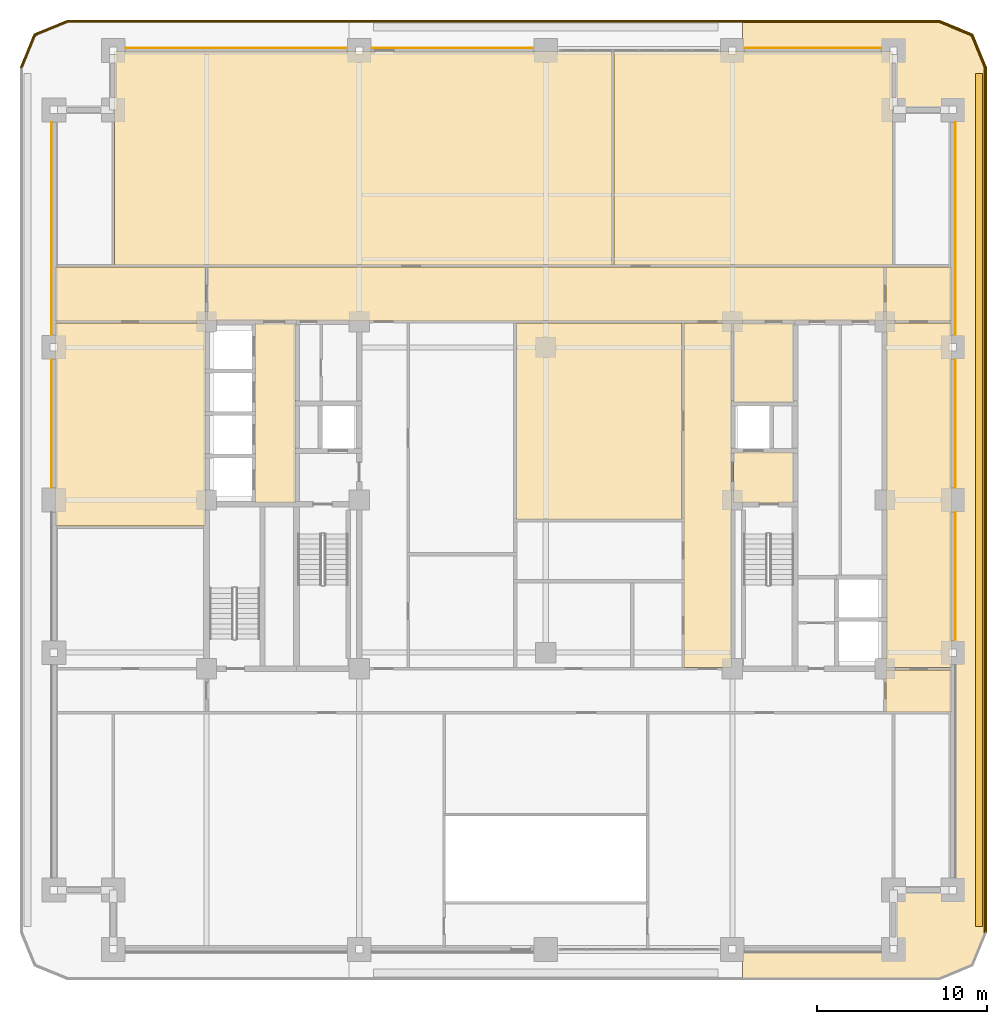
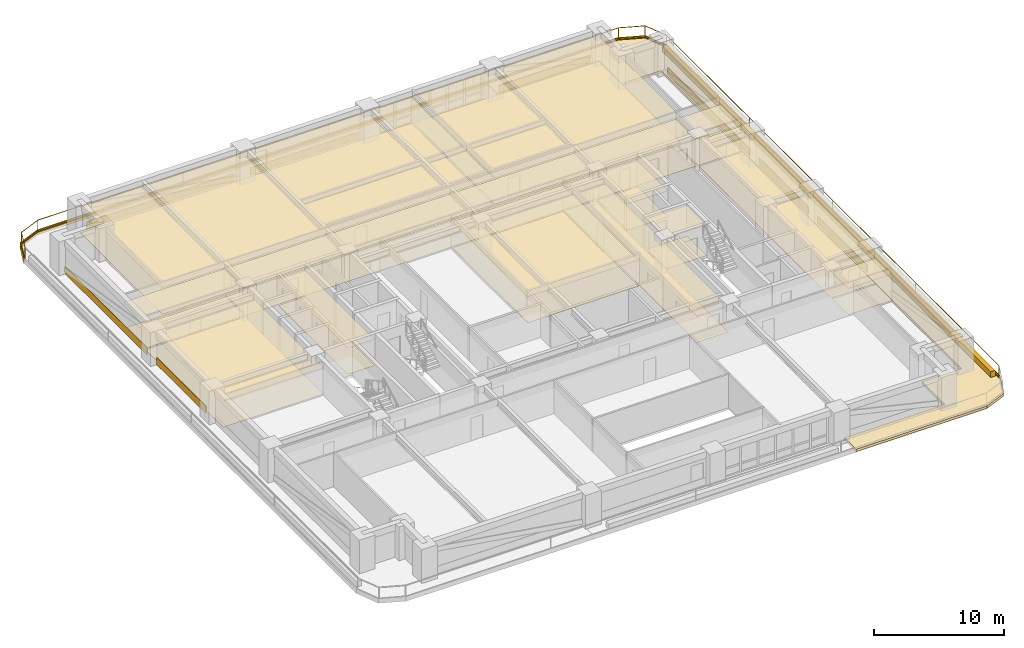
# One storey, part 18 of 18: 42 coverings, 2 railings.
"""IFC4 building model written with IfcOpenShell, lengths in metres."""

from ifc_helpers import new_model, si_unit, direction, frame, frame_2d, origin, origin_2d, place, context, subcontext, project, spatial, polyline, rectangle, outline, extrude, material, layer, layer_set, type_object, element, save


model = new_model("IFC4")

# Units and contexts
model_context = context("Model", 3, precision=1e-05, world=origin(), true_north=direction((0.0, 1.0)))
body_context = subcontext(model_context, "Body", "Model", "MODEL_VIEW")
ifc_project = project(units=[si_unit("LENGTHUNIT", "METRE"), si_unit("AREAUNIT", "SQUARE_METRE"), si_unit("VOLUMEUNIT", "CUBIC_METRE"), si_unit("PLANEANGLEUNIT", "RADIAN"), si_unit("MASSUNIT", "GRAM", prefix="KILO")], contexts=[model_context])

# Site, building, storey
site_placement = place(None, origin())
site = spatial("IfcSite", under=ifc_project, at=site_placement, CompositionType="ELEMENT")
building_placement = place(site_placement, origin())
building = spatial("IfcBuilding", under=site, at=building_placement, Name="Zulmaris Gate Convention Tower", CompositionType="ELEMENT")
storey_placement = place(building_placement, frame((0.0, 0.0, 78.60986328125)))
storey = spatial("IfcBuildingStorey", under=building, at=storey_placement, Name="L19", CompositionType="ELEMENT", Elevation=78.60986328125)

# Coverings
ifc_material_1 = material(Name="Precast concrete C40/50", Category="concrete")
ifc_layer_1 = layer(ifc_material_1, 0.0400390625, Name="Precast concrete C40/50")
ifc_layer_set_1 = layer_set([ifc_layer_1], Name="Precast concrete C40/50")
covering_type_1 = type_object("IfcCoveringType", Name="CLAD-SPANDREL-PRECAST", PredefinedType="CLADDING", material=ifc_layer_set_1)
covering_1_placement = place(storey_placement, frame((-11.72998046875, 26.64990234375, 0.0), z_axis=(0.0, 0.0, 1.0), x_axis=(-1.0, 0.0, 0.0)))
element("IfcCovering", 1, at=covering_1_placement, inside=storey, type_object=covering_type_1, Name="CLD-L19-N-0_0", PredefinedType="CLADDING", context=body_context, shape_type="SweptSolid", body=[
    extrude(rectangle(XDim=13.0400390625, YDim=0.0400390625, at=frame_2d((6.52001953125, 0.0))), origin(), (0.0, 0.0, 1.0), 0.679931640625),
])
covering_2_placement = place(storey_placement, frame((-0.72998046875, 26.64990234375, 0.0), z_axis=(0.0, 0.0, 1.0), x_axis=(-1.0, 0.0, 0.0)))
element("IfcCovering", 2, at=covering_2_placement, inside=storey, type_object=covering_type_1, Name="CLD-L19-N-1_0", PredefinedType="CLADDING", context=body_context, shape_type="SweptSolid", body=[
    extrude(rectangle(XDim=9.5400390625, YDim=0.0400390625, at=frame_2d((4.77001953125, 0.0))), origin(), (0.0, 0.0, 1.0), 0.679931640625),
])
covering_3_placement = place(storey_placement, frame((19.77001953125, 26.64990234375, 0.0), z_axis=(0.0, 0.0, 1.0), x_axis=(-1.0, 0.0, 0.0)))
element("IfcCovering", 3, at=covering_3_placement, inside=storey, type_object=covering_type_1, Name="CLD-L19-N-3_0", PredefinedType="CLADDING", context=body_context, shape_type="SweptSolid", body=[
    extrude(rectangle(XDim=8.0400390625, YDim=0.0400390625, at=frame_2d((4.02001953125, 0.0))), origin(), (0.0, 0.0, 1.0), 0.679931640625),
])
for number, where, z_axis, x_axis, name in (
    (4, (24.14990234375, -8.27001953125, 0.0), (0.0, 0.0, 1.0), (0.0, 1.0, 0.0), "CLD-L19-E-1_0"),
    (5, (24.14990234375, 0.72998046875, 0.0), (0.0, 0.0, 1.0), (0.0, 1.0, 0.0), "CLD-L19-E-2_0"),
):
    element("IfcCovering", number, at=place(storey_placement, frame(where, z_axis=z_axis, x_axis=x_axis)), inside=storey, type_object=covering_type_1, Name=name, PredefinedType="CLADDING", context=body_context, shape_type="SweptSolid", body=[
        extrude(rectangle(XDim=7.5400390625, YDim=0.0400390625, at=frame_2d((3.77001953125, 0.0))), origin(), (0.0, 0.0, 1.0), 0.679931640625),
    ])
covering_4_placement = place(storey_placement, frame((24.14990234375, 9.72998046875, 0.0), z_axis=(0.0, 0.0, 1.0), x_axis=(0.0, 1.0, 0.0)))
element("IfcCovering", 6, at=covering_4_placement, inside=storey, type_object=covering_type_1, Name="CLD-L19-E-3_0", PredefinedType="CLADDING", context=body_context, shape_type="SweptSolid", body=[
    extrude(rectangle(XDim=12.5400390625, YDim=0.0400390625, at=frame_2d((6.27001953125, 0.0))), origin(), (0.0, 0.0, 1.0), 0.679931640625),
])
covering_5_placement = place(storey_placement, frame((-29.14990234375, 8.27001953125, 0.0), z_axis=(0.0, 0.0, 1.0), x_axis=(0.0, -1.0, 0.0)))
element("IfcCovering", 7, at=covering_5_placement, inside=storey, type_object=covering_type_1, Name="CLD-L19-W-2_0", PredefinedType="CLADDING", context=body_context, shape_type="SweptSolid", body=[
    extrude(rectangle(XDim=7.5400390625, YDim=0.0400390625, at=frame_2d((3.77001953125, 0.0))), origin(), (0.0, 0.0, 1.0), 0.679931640625),
])
covering_6_placement = place(storey_placement, frame((-29.14990234375, 22.27001953125, 0.0), z_axis=(0.0, 0.0, 1.0), x_axis=(0.0, -1.0, 0.0)))
element("IfcCovering", 8, at=covering_6_placement, inside=storey, type_object=covering_type_1, Name="CLD-L19-W-3_0", PredefinedType="CLADDING", context=body_context, shape_type="SweptSolid", body=[
    extrude(rectangle(XDim=12.5400390625, YDim=0.0400390625, at=frame_2d((6.27001953125, 0.0))), origin(), (0.0, 0.0, 1.0), 0.679931640625),
])
ifc_material_2 = material(Name="White Glazed Architectural Precast Concrete C40/50", Category="concrete")
ifc_layer_2 = layer(ifc_material_2, 0.239990234375, Name="White Glazed Architectural Precast Concrete C40/50")
ifc_layer_set_2 = layer_set([ifc_layer_2], Name="White Glazed Architectural Precast Concrete C40/50")
covering_type_2 = type_object("IfcCoveringType", Name="CLAD-TRAY-DECK", PredefinedType="CLADDING", material=ifc_layer_set_2)
covering_7_placement = place(storey_placement, frame((0.0, 0.0, -0.25)))
element("IfcCovering", 9, at=covering_7_placement, inside=storey, type_object=covering_type_2, Name="L19 East Rounded-Fascia Planter Tray Deck", PredefinedType="CLADDING", context=body_context, shape_type="SweptSolid", body=[
    extrude(outline(polyline([(23.199951171875, 28.300048828125), (25.179931640625, 27.47998046875), (26.0, 25.5), (26.0, -25.5), (25.179931640625, -27.47998046875), (23.199951171875, -28.300048828125), (11.60205078125, -28.300048828125), (11.60205078125, -26.5), (20.5, -26.5), (20.5, -23.0), (24.0, -23.0), (24.0, 23.0), (20.5, 23.0), (20.5, 26.5), (11.60205078125, 26.5), (11.60205078125, 28.300048828125), (23.199951171875, 28.300048828125)])), origin(), (0.0, 0.0, 1.0), 0.239990234375),
])
ifc_layer_3 = layer(ifc_material_2, 0.080078125, Name="White Glazed Architectural Precast Concrete C40/50")
ifc_layer_set_3 = layer_set([ifc_layer_3], Name="White Glazed Architectural Precast Concrete C40/50")
covering_type_3 = type_object("IfcCoveringType", Name="CLAD-TRAY-FASCIA", PredefinedType="CLADDING", material=ifc_layer_set_3)
covering_8_placement = place(storey_placement, frame((25.9599609375, -25.5, -0.2900390625), z_axis=(0.0, 0.0, 1.0), x_axis=(0.0, 1.0, 0.0)))
element("IfcCovering", 10, at=covering_8_placement, inside=storey, type_object=covering_type_3, Name="FSC-L19-TR-05", PredefinedType="CLADDING", context=body_context, shape_type="SweptSolid", body=[
    extrude(rectangle(XDim=51.0, YDim=0.080078125, at=frame_2d((25.5, 0.0))), origin(), (0.0, 0.0, 1.0), 0.440185546875),
])
covering_9_placement = place(storey_placement, frame((25.962890625, 25.484619140625, -0.2900390625), z_axis=(0.0, 0.0, 1.0), x_axis=(-0.382656984709, 0.923890487046, 0.0)))
element("IfcCovering", 11, at=covering_9_placement, inside=storey, type_object=covering_type_3, Name="FSC-L19-TR-06", PredefinedType="CLADDING", context=body_context, shape_type="SweptSolid", body=[
    extrude(rectangle(XDim=2.14306640625, YDim=0.080078125, at=frame_2d((1.071533203125, 0.0))), origin(), (0.0, 0.0, 1.0), 0.440185546875),
])
covering_10_placement = place(storey_placement, frame((25.16455078125, 27.44287109375, -0.2900390625), z_axis=(0.0, 0.0, 1.0), x_axis=(-0.923873803533, 0.382697263049, 0.0)))
element("IfcCovering", 12, at=covering_10_placement, inside=storey, type_object=covering_type_3, Name="FSC-L19-TR-07", PredefinedType="CLADDING", context=body_context, shape_type="SweptSolid", body=[
    extrude(rectangle(XDim=2.142822265625, YDim=0.080078125, at=frame_2d((1.0712890625, 0.0))), origin(), (0.0, 0.0, 1.0), 0.440185546875),
])
covering_11_placement = place(storey_placement, frame((23.199951171875, 28.260009765625, -0.2900390625), z_axis=(0.0, 0.0, 1.0), x_axis=(-1.0, 0.0, 0.0)))
element("IfcCovering", 13, at=covering_11_placement, inside=storey, type_object=covering_type_3, Name="FSC-L19-TR-08", PredefinedType="CLADDING", context=body_context, shape_type="SweptSolid", body=[
    extrude(rectangle(XDim=51.39990234375, YDim=0.080078125, at=frame_2d((25.699951171875, 0.0))), origin(), (0.0, 0.0, 1.0), 0.440185546875),
])
covering_12_placement = place(storey_placement, frame((-28.184814453125, 28.262939453125, -0.2900390625), z_axis=(0.0, 0.0, 1.0), x_axis=(-0.923873803533, -0.382697263049, 0.0)))
element("IfcCovering", 14, at=covering_12_placement, inside=storey, type_object=covering_type_3, Name="FSC-L19-TR-09", PredefinedType="CLADDING", context=body_context, shape_type="SweptSolid", body=[
    extrude(rectangle(XDim=2.142822265625, YDim=0.080078125, at=frame_2d((1.0712890625, 0.0))), origin(), (0.0, 0.0, 1.0), 0.440185546875),
])
covering_13_placement = place(storey_placement, frame((-30.142822265625, 27.464599609375, -0.2900390625), z_axis=(0.0, 0.0, 1.0), x_axis=(-0.382656984709, -0.923890487046, 0.0)))
element("IfcCovering", 15, at=covering_13_placement, inside=storey, type_object=covering_type_3, Name="FSC-L19-TR-10", PredefinedType="CLADDING", context=body_context, shape_type="SweptSolid", body=[
    extrude(rectangle(XDim=2.14306640625, YDim=0.080078125, at=frame_2d((1.071533203125, 0.0))), origin(), (0.0, 0.0, 1.0), 0.440185546875),
])
ifc_material_3 = material(Name="Mineral Fibre Acoustic Ceiling Tile")
ifc_layer_4 = layer(ifc_material_3, 0.02001953125, Name="Mineral Fibre Acoustic Ceiling Tile")
ifc_layer_set_4 = layer_set([ifc_layer_4], Name="Mineral Fibre Acoustic Ceiling Tile")
covering_type_4 = type_object("IfcCoveringType", Name="CLG-ACOUSTIC-600", PredefinedType="CEILING", material=ifc_layer_set_4)
covering_14_placement = place(storey_placement, frame((0.0, 0.0, 2.864990234375)))
element("IfcCovering", 16, at=covering_14_placement, inside=storey, type_object=covering_type_4, Name="CLG-L19-R08", PredefinedType="CEILING", context=body_context, shape_type="SweptSolid", body=[
    extrude(outline(polyline([(11.06005859375, -0.18994140625), (14.639892578125, -0.18994140625), (14.639892578125, 2.840087890625), (11.06005859375, 2.840087890625), (11.06005859375, -0.18994140625)])), origin(), (0.0, 0.0, 1.0), 0.02001953125),
])
covering_15_placement = place(storey_placement, frame((0.0, 0.0, 2.453125)))
element("IfcCovering", 17, at=covering_15_placement, inside=storey, type_object=covering_type_4, Name="CLG-L19-R13", PredefinedType="CEILING", context=body_context, shape_type="SweptSolid", body=[
    extrude(outline(polyline([(11.06005859375, 5.760009765625), (14.639892578125, 5.760009765625), (14.639892578125, 10.43994140625), (11.06005859375, 10.43994140625), (11.06005859375, 5.760009765625)])), origin(), (0.0, 0.0, 1.0), 0.02001953125),
])
covering_16_placement = place(storey_placement, frame((0.0, 0.0, 2.453125)))
element("IfcCovering", 18, at=covering_16_placement, inside=storey, type_object=covering_type_4, Name="CLG-L19-R16", PredefinedType="CEILING", context=body_context, shape_type="SweptSolid", body=[
    extrude(outline(polyline([(-17.139892578125, -0.18994140625), (-14.760009765625, -0.18994140625), (-14.760009765625, 10.43994140625), (-17.139892578125, 10.43994140625), (-17.139892578125, -0.18994140625)])), origin(), (0.0, 0.0, 1.0), 0.02001953125),
])
covering_17_placement = place(storey_placement, frame((0.0, 0.0, 2.453125)))
element("IfcCovering", 19, at=covering_17_placement, inside=storey, type_object=covering_type_4, Name="CLG-L19-R29", PredefinedType="CEILING", context=body_context, shape_type="SweptSolid", body=[
    extrude(outline(polyline([(-19.93994140625, 10.56005859375), (19.93994140625, 10.56005859375), (19.93994140625, 13.739990234375), (-19.93994140625, 13.739990234375), (-19.93994140625, 10.56005859375)])), origin(), (0.0, 0.0, 1.0), 0.02001953125),
])
covering_18_placement = place(storey_placement, frame((0.0, 0.0, 2.453125)))
element("IfcCovering", 20, at=covering_18_placement, inside=storey, type_object=covering_type_4, Name="CLG-L19-R32", PredefinedType="CEILING", context=body_context, shape_type="SweptSolid", body=[
    extrude(outline(polyline([(8.159912109375, -9.889892578125), (10.93994140625, -9.889892578125), (10.93994140625, 10.43994140625), (8.159912109375, 10.43994140625), (8.159912109375, -9.889892578125)])), origin(), (0.0, 0.0, 1.0), 0.02001953125),
])
covering_19_placement = place(storey_placement, frame((0.0, 0.0, 2.453125)))
element("IfcCovering", 21, at=covering_19_placement, inside=storey, type_object=covering_type_4, Name="CLG-L19-R33", PredefinedType="CEILING", context=body_context, shape_type="SweptSolid", body=[
    extrude(outline(polyline([(-25.43994140625, 13.860107421875), (3.889892578125, 13.860107421875), (3.889892578125, 26.43994140625), (-25.43994140625, 26.43994140625), (-25.43994140625, 13.860107421875)])), origin(), (0.0, 0.0, 1.0), 0.02001953125),
])
covering_20_placement = place(storey_placement, frame((0.0, 0.0, 2.453125)))
element("IfcCovering", 22, at=covering_20_placement, inside=storey, type_object=covering_type_4, Name="CLG-L19-R34", PredefinedType="CEILING", context=body_context, shape_type="SweptSolid", body=[
    extrude(outline(polyline([(4.010009765625, 13.860107421875), (20.43994140625, 13.860107421875), (20.43994140625, 26.43994140625), (4.010009765625, 26.43994140625), (4.010009765625, 13.860107421875)])), origin(), (0.0, 0.0, 1.0), 0.02001953125),
])
covering_21_placement = place(storey_placement, frame((0.0, 0.0, 2.453125)))
element("IfcCovering", 23, at=covering_21_placement, inside=storey, type_object=covering_type_4, Name="CLG-L19-R41", PredefinedType="CEILING", context=body_context, shape_type="SweptSolid", body=[
    extrude(outline(polyline([(-1.739990234375, -1.139892578125), (8.0400390625, -1.139892578125), (8.0400390625, 10.43994140625), (-1.739990234375, 10.43994140625), (-1.739990234375, -1.139892578125)])), origin(), (0.0, 0.0, 1.0), 0.02001953125),
])
covering_22_placement = place(storey_placement, frame((0.0, 0.0, 2.453125)))
element("IfcCovering", 24, at=covering_22_placement, inside=storey, type_object=covering_type_4, Name="CLG-L19-R45", PredefinedType="CEILING", context=body_context, shape_type="SweptSolid", body=[
    extrude(outline(polyline([(-28.93994140625, 10.56005859375), (-20.06005859375, 10.56005859375), (-20.06005859375, 13.739990234375), (-28.93994140625, 13.739990234375), (-28.93994140625, 10.56005859375)])), origin(), (0.0, 0.0, 1.0), 0.02001953125),
])
covering_23_placement = place(storey_placement, frame((0.0, 0.0, 2.453125)))
element("IfcCovering", 25, at=covering_23_placement, inside=storey, type_object=covering_type_4, Name="CLG-L19-R47", PredefinedType="CEILING", context=body_context, shape_type="SweptSolid", body=[
    extrude(outline(polyline([(-28.93994140625, -1.5400390625), (-20.06005859375, -1.5400390625), (-20.06005859375, 10.43994140625), (-28.93994140625, 10.43994140625), (-28.93994140625, -1.5400390625)])), origin(), (0.0, 0.0, 1.0), 0.02001953125),
])
covering_24_placement = place(storey_placement, frame((0.0, 0.0, 2.453125)))
element("IfcCovering", 26, at=covering_24_placement, inside=storey, type_object=covering_type_4, Name="CLG-L19-R49", PredefinedType="CEILING", context=body_context, shape_type="SweptSolid", body=[
    extrude(outline(polyline([(20.06005859375, 10.56005859375), (23.93994140625, 10.56005859375), (23.93994140625, 13.739990234375), (20.06005859375, 13.739990234375), (20.06005859375, 10.56005859375)])), origin(), (0.0, 0.0, 1.0), 0.02001953125),
])
covering_25_placement = place(storey_placement, frame((0.0, 0.0, 2.453125)))
element("IfcCovering", 27, at=covering_25_placement, inside=storey, type_object=covering_type_4, Name="CLG-L19-R50", PredefinedType="CEILING", context=body_context, shape_type="SweptSolid", body=[
    extrude(outline(polyline([(20.06005859375, -12.489990234375), (23.93994140625, -12.489990234375), (23.93994140625, -10.010009765625), (20.06005859375, -10.010009765625), (20.06005859375, -12.489990234375)])), origin(), (0.0, 0.0, 1.0), 0.02001953125),
])
covering_26_placement = place(storey_placement, frame((0.0, 0.0, 2.453125)))
element("IfcCovering", 28, at=covering_26_placement, inside=storey, type_object=covering_type_4, Name="CLG-L19-R51", PredefinedType="CEILING", context=body_context, shape_type="SweptSolid", body=[
    extrude(outline(polyline([(20.06005859375, -9.889892578125), (23.93994140625, -9.889892578125), (23.93994140625, 10.43994140625), (20.06005859375, 10.43994140625), (20.06005859375, -9.889892578125)])), origin(), (0.0, 0.0, 1.0), 0.02001953125),
])
ifc_material_4 = material(Name="Woven Acoustic Wool Carpet Tile")
ifc_layer_5 = layer(ifc_material_4, 0.02001953125, Name="Woven Acoustic Wool Carpet Tile")
ifc_layer_set_5 = layer_set([ifc_layer_5], Name="Woven Acoustic Wool Carpet Tile")
covering_type_5 = type_object("IfcCoveringType", Name="FLR-CARPET-12", PredefinedType="FLOORING", material=ifc_layer_set_5)
covering_27_placement = place(storey_placement, origin())
element("IfcCovering", 29, at=covering_27_placement, inside=storey, type_object=covering_type_5, Name="FLR-L19-R08", PredefinedType="FLOORING", context=body_context, shape_type="SweptSolid", body=[
    extrude(outline(polyline([(11.06005859375, -0.18994140625), (14.639892578125, -0.18994140625), (14.639892578125, 2.840087890625), (11.06005859375, 2.840087890625), (11.06005859375, -0.18994140625)])), origin(), (0.0, 0.0, 1.0), 0.02001953125),
])
covering_28_placement = place(storey_placement, origin())
element("IfcCovering", 30, at=covering_28_placement, inside=storey, type_object=covering_type_5, Name="FLR-L19-R13", PredefinedType="FLOORING", context=body_context, shape_type="SweptSolid", body=[
    extrude(outline(polyline([(11.06005859375, 5.760009765625), (14.639892578125, 5.760009765625), (14.639892578125, 10.43994140625), (11.06005859375, 10.43994140625), (11.06005859375, 5.760009765625)])), origin(), (0.0, 0.0, 1.0), 0.02001953125),
])
covering_29_placement = place(storey_placement, origin())
element("IfcCovering", 31, at=covering_29_placement, inside=storey, type_object=covering_type_5, Name="FLR-L19-R16", PredefinedType="FLOORING", context=body_context, shape_type="SweptSolid", body=[
    extrude(outline(polyline([(-17.139892578125, -0.18994140625), (-14.760009765625, -0.18994140625), (-14.760009765625, 10.43994140625), (-17.139892578125, 10.43994140625), (-17.139892578125, -0.18994140625)])), origin(), (0.0, 0.0, 1.0), 0.02001953125),
])
covering_30_placement = place(storey_placement, origin())
element("IfcCovering", 32, at=covering_30_placement, inside=storey, type_object=covering_type_5, Name="FLR-L19-R29", PredefinedType="FLOORING", context=body_context, shape_type="SweptSolid", body=[
    extrude(outline(polyline([(-19.93994140625, 10.56005859375), (19.93994140625, 10.56005859375), (19.93994140625, 13.739990234375), (-19.93994140625, 13.739990234375), (-19.93994140625, 10.56005859375)])), origin(), (0.0, 0.0, 1.0), 0.02001953125),
])
covering_31_placement = place(storey_placement, origin())
element("IfcCovering", 33, at=covering_31_placement, inside=storey, type_object=covering_type_5, Name="FLR-L19-R32", PredefinedType="FLOORING", context=body_context, shape_type="SweptSolid", body=[
    extrude(outline(polyline([(8.159912109375, -9.889892578125), (10.93994140625, -9.889892578125), (10.93994140625, 10.43994140625), (8.159912109375, 10.43994140625), (8.159912109375, -9.889892578125)])), origin(), (0.0, 0.0, 1.0), 0.02001953125),
])
covering_32_placement = place(storey_placement, origin())
element("IfcCovering", 34, at=covering_32_placement, inside=storey, type_object=covering_type_5, Name="FLR-L19-R33", PredefinedType="FLOORING", context=body_context, shape_type="SweptSolid", body=[
    extrude(outline(polyline([(-25.43994140625, 13.860107421875), (3.889892578125, 13.860107421875), (3.889892578125, 26.43994140625), (-25.43994140625, 26.43994140625), (-25.43994140625, 13.860107421875)])), origin(), (0.0, 0.0, 1.0), 0.02001953125),
])
covering_33_placement = place(storey_placement, origin())
element("IfcCovering", 35, at=covering_33_placement, inside=storey, type_object=covering_type_5, Name="FLR-L19-R34", PredefinedType="FLOORING", context=body_context, shape_type="SweptSolid", body=[
    extrude(outline(polyline([(4.010009765625, 13.860107421875), (20.43994140625, 13.860107421875), (20.43994140625, 26.43994140625), (4.010009765625, 26.43994140625), (4.010009765625, 13.860107421875)])), origin(), (0.0, 0.0, 1.0), 0.02001953125),
])
covering_34_placement = place(storey_placement, origin())
element("IfcCovering", 36, at=covering_34_placement, inside=storey, type_object=covering_type_5, Name="FLR-L19-R41", PredefinedType="FLOORING", context=body_context, shape_type="SweptSolid", body=[
    extrude(outline(polyline([(-1.739990234375, -1.139892578125), (8.0400390625, -1.139892578125), (8.0400390625, 10.43994140625), (-1.739990234375, 10.43994140625), (-1.739990234375, -1.139892578125)])), origin(), (0.0, 0.0, 1.0), 0.02001953125),
])
covering_35_placement = place(storey_placement, origin())
element("IfcCovering", 37, at=covering_35_placement, inside=storey, type_object=covering_type_5, Name="FLR-L19-R45", PredefinedType="FLOORING", context=body_context, shape_type="SweptSolid", body=[
    extrude(outline(polyline([(-28.93994140625, 10.56005859375), (-20.06005859375, 10.56005859375), (-20.06005859375, 13.739990234375), (-28.93994140625, 13.739990234375), (-28.93994140625, 10.56005859375)])), origin(), (0.0, 0.0, 1.0), 0.02001953125),
])
covering_36_placement = place(storey_placement, origin())
element("IfcCovering", 38, at=covering_36_placement, inside=storey, type_object=covering_type_5, Name="FLR-L19-R47", PredefinedType="FLOORING", context=body_context, shape_type="SweptSolid", body=[
    extrude(outline(polyline([(-28.93994140625, -1.5400390625), (-20.06005859375, -1.5400390625), (-20.06005859375, 10.43994140625), (-28.93994140625, 10.43994140625), (-28.93994140625, -1.5400390625)])), origin(), (0.0, 0.0, 1.0), 0.02001953125),
])
covering_37_placement = place(storey_placement, origin())
element("IfcCovering", 39, at=covering_37_placement, inside=storey, type_object=covering_type_5, Name="FLR-L19-R49", PredefinedType="FLOORING", context=body_context, shape_type="SweptSolid", body=[
    extrude(outline(polyline([(20.06005859375, 10.56005859375), (23.93994140625, 10.56005859375), (23.93994140625, 13.739990234375), (20.06005859375, 13.739990234375), (20.06005859375, 10.56005859375)])), origin(), (0.0, 0.0, 1.0), 0.02001953125),
])
covering_38_placement = place(storey_placement, origin())
element("IfcCovering", 40, at=covering_38_placement, inside=storey, type_object=covering_type_5, Name="FLR-L19-R50", PredefinedType="FLOORING", context=body_context, shape_type="SweptSolid", body=[
    extrude(outline(polyline([(20.06005859375, -12.489990234375), (23.93994140625, -12.489990234375), (23.93994140625, -10.010009765625), (20.06005859375, -10.010009765625), (20.06005859375, -12.489990234375)])), origin(), (0.0, 0.0, 1.0), 0.02001953125),
])
covering_39_placement = place(storey_placement, origin())
element("IfcCovering", 41, at=covering_39_placement, inside=storey, type_object=covering_type_5, Name="FLR-L19-R51", PredefinedType="FLOORING", context=body_context, shape_type="SweptSolid", body=[
    extrude(outline(polyline([(20.06005859375, -9.889892578125), (23.93994140625, -9.889892578125), (23.93994140625, 10.43994140625), (20.06005859375, 10.43994140625), (20.06005859375, -9.889892578125)])), origin(), (0.0, 0.0, 1.0), 0.02001953125),
])
ifc_material_5 = material(Name="Botanical Green Glazed Precast Concrete C40/50", Category="concrete")
ifc_layer_6 = layer(ifc_material_5, 0.419921875, Name="Botanical Green Glazed Precast Concrete C40/50")
ifc_layer_set_6 = layer_set([ifc_layer_6], Name="Botanical Green Glazed Precast Concrete C40/50")
covering_type_6 = type_object("IfcCoveringType", Name="PLANTER-BOX-200", PredefinedType="CLADDING", material=ifc_layer_set_6)
covering_40_placement = place(storey_placement, frame((0.0, 0.0, -0.010009765625)))
element("IfcCovering", 42, at=covering_40_placement, inside=storey, type_object=covering_type_6, Name="L19 E Full-Length Balcony Tree Planter Trough", PredefinedType="CLADDING", context=body_context, shape_type="SweptSolid", body=[
    extrude(outline(polyline([(25.340087890625, -25.14990234375), (25.760009765625, -25.14990234375), (25.760009765625, 25.14990234375), (25.340087890625, 25.14990234375), (25.340087890625, -25.14990234375)])), origin(), (0.0, 0.0, 1.0), 0.52001953125),
])

# Railings
ifc_material_6 = material(Name="Laminated Glass and Stainless Steel", Category="steel")
railing_type = type_object("IfcRailingType", Name="RL-BALC-1150", PredefinedType="BALUSTRADE", material=ifc_material_6)
railing_1_placement = place(storey_placement, frame((25.8798828125, -25.5, -0.010009765625)))
element("IfcRailing", 43, at=railing_1_placement, inside=storey, type_object=railing_type, Name="RL-L19-BALC-E", PredefinedType="BALUSTRADE", context=body_context, shape_type="SweptSolid", body=[
    extrude(rectangle(XDim=0.048095703125, YDim=0.048095703125, at=origin_2d()), frame((0.0, 0.0, 1.1259765625), z_axis=(0.0, 1.0, 0.0), x_axis=(-1.0, 0.0, 0.0)), (0.0, 0.0, 1.0), 51.0),
    extrude(rectangle(XDim=0.048095703125, YDim=0.048095703125, at=origin_2d()), frame((0.0, 0.0, 0.02392578125), z_axis=(0.0, 1.0, 0.0), x_axis=(-1.0, 0.0, 0.0)), (0.0, 0.0, 1.0), 51.0),
    extrude(rectangle(XDim=0.0419921875, YDim=0.0419921875, at=origin_2d()), origin(), (0.0, 0.0, 1.0), 1.101806640625),
    extrude(rectangle(XDim=0.0419921875, YDim=0.0419921875, at=origin_2d()), frame((0.0, 12.75, 0.0)), (0.0, 0.0, 1.0), 1.101806640625),
    extrude(rectangle(XDim=0.0419921875, YDim=0.0419921875, at=origin_2d()), frame((0.0, 25.5, 0.0)), (0.0, 0.0, 1.0), 1.101806640625),
    extrude(rectangle(XDim=0.0419921875, YDim=0.0419921875, at=origin_2d()), frame((0.0, 38.25, 0.0)), (0.0, 0.0, 1.0), 1.101806640625),
    extrude(rectangle(XDim=0.0419921875, YDim=0.0419921875, at=origin_2d()), frame((0.0, 51.0, 0.0)), (0.0, 0.0, 1.0), 1.101806640625),
])
railing_2_placement = place(storey_placement, frame((25.8798828125, 25.5, -0.010009765625)))
element("IfcRailing", 44, at=railing_2_placement, inside=storey, type_object=railing_type, Name="RL-L19-BALC-N", PredefinedType="BALUSTRADE", context=body_context, shape_type="SweptSolid", body=[
    extrude(rectangle(XDim=0.048095703125, YDim=0.048095703125, at=origin_2d()), frame((0.0, 0.0, 1.1259765625), z_axis=(-0.382670664694, 0.92388482095, 0.0), x_axis=(-0.92388482095, -0.382670664694, 0.0)), (0.0, 0.0, 1.0), 2.051025390625),
    extrude(rectangle(XDim=0.048095703125, YDim=0.048095703125, at=origin_2d()), frame((0.0, 0.0, 0.02392578125), z_axis=(-0.382670664694, 0.92388482095, 0.0), x_axis=(-0.92388482095, -0.382670664694, 0.0)), (0.0, 0.0, 1.0), 2.051025390625),
    extrude(rectangle(XDim=0.048095703125, YDim=0.048095703125, at=origin_2d()), frame((-0.784912109375, 1.89501953125, 1.1259765625), z_axis=(-0.92388482095, 0.382670664694, 0.0), x_axis=(-0.382670664694, -0.92388482095, 0.0)), (0.0, 0.0, 1.0), 2.051025390625),
    extrude(rectangle(XDim=0.048095703125, YDim=0.048095703125, at=origin_2d()), frame((-0.784912109375, 1.89501953125, 0.02392578125), z_axis=(-0.92388482095, 0.382670664694, 0.0), x_axis=(-0.382670664694, -0.92388482095, 0.0)), (0.0, 0.0, 1.0), 2.051025390625),
    extrude(rectangle(XDim=0.048095703125, YDim=0.048095703125, at=origin_2d()), frame((-2.679931640625, 2.679931640625, 1.1259765625), z_axis=(-1.0, 0.0, 0.0), x_axis=(0.0, -1.0, 0.0)), (0.0, 0.0, 1.0), 51.39990234375),
    extrude(rectangle(XDim=0.048095703125, YDim=0.048095703125, at=origin_2d()), frame((-2.679931640625, 2.679931640625, 0.02392578125), z_axis=(-1.0, 0.0, 0.0), x_axis=(0.0, -1.0, 0.0)), (0.0, 0.0, 1.0), 51.39990234375),
    extrude(rectangle(XDim=0.048095703125, YDim=0.048095703125, at=origin_2d()), frame((-54.079833984375, 2.679931640625, 1.1259765625), z_axis=(-0.92388482095, -0.382670664694, 0.0), x_axis=(0.382670664694, -0.92388482095, 0.0)), (0.0, 0.0, 1.0), 2.051025390625),
    extrude(rectangle(XDim=0.048095703125, YDim=0.048095703125, at=origin_2d()), frame((-54.079833984375, 2.679931640625, 0.02392578125), z_axis=(-0.92388482095, -0.382670664694, 0.0), x_axis=(0.382670664694, -0.92388482095, 0.0)), (0.0, 0.0, 1.0), 2.051025390625),
    extrude(rectangle(XDim=0.048095703125, YDim=0.048095703125, at=origin_2d()), frame((-55.974853515625, 1.89501953125, 1.1259765625), z_axis=(-0.382670664694, -0.92388482095, 0.0), x_axis=(0.92388482095, -0.382670664694, 0.0)), (0.0, 0.0, 1.0), 2.051025390625),
    extrude(rectangle(XDim=0.048095703125, YDim=0.048095703125, at=origin_2d()), frame((-55.974853515625, 1.89501953125, 0.02392578125), z_axis=(-0.382670664694, -0.92388482095, 0.0), x_axis=(0.92388482095, -0.382670664694, 0.0)), (0.0, 0.0, 1.0), 2.051025390625),
    extrude(rectangle(XDim=0.0419921875, YDim=0.0419921875, at=origin_2d()), origin(), (0.0, 0.0, 1.0), 1.101806640625),
    extrude(rectangle(XDim=0.0419921875, YDim=0.0419921875, at=origin_2d()), frame((-0.784912109375, 1.89501953125, 0.0)), (0.0, 0.0, 1.0), 1.101806640625),
    extrude(rectangle(XDim=0.0419921875, YDim=0.0419921875, at=origin_2d()), frame((-2.679931640625, 2.679931640625, 0.0)), (0.0, 0.0, 1.0), 1.101806640625),
    extrude(rectangle(XDim=0.0419921875, YDim=0.0419921875, at=origin_2d()), frame((-15.52978515625, 2.679931640625, 0.0)), (0.0, 0.0, 1.0), 1.101806640625),
    extrude(rectangle(XDim=0.0419921875, YDim=0.0419921875, at=origin_2d()), frame((-28.3798828125, 2.679931640625, 0.0)), (0.0, 0.0, 1.0), 1.101806640625),
    extrude(rectangle(XDim=0.0419921875, YDim=0.0419921875, at=origin_2d()), frame((-41.22998046875, 2.679931640625, 0.0)), (0.0, 0.0, 1.0), 1.101806640625),
    extrude(rectangle(XDim=0.0419921875, YDim=0.0419921875, at=origin_2d()), frame((-54.079833984375, 2.679931640625, 0.0)), (0.0, 0.0, 1.0), 1.101806640625),
    extrude(rectangle(XDim=0.0419921875, YDim=0.0419921875, at=origin_2d()), frame((-55.974853515625, 1.89501953125, 0.0)), (0.0, 0.0, 1.0), 1.101806640625),
    extrude(rectangle(XDim=0.0419921875, YDim=0.0419921875, at=origin_2d()), frame((-56.759765625, 0.0, 0.0)), (0.0, 0.0, 1.0), 1.101806640625),
])

save(model, "model.ifc")
